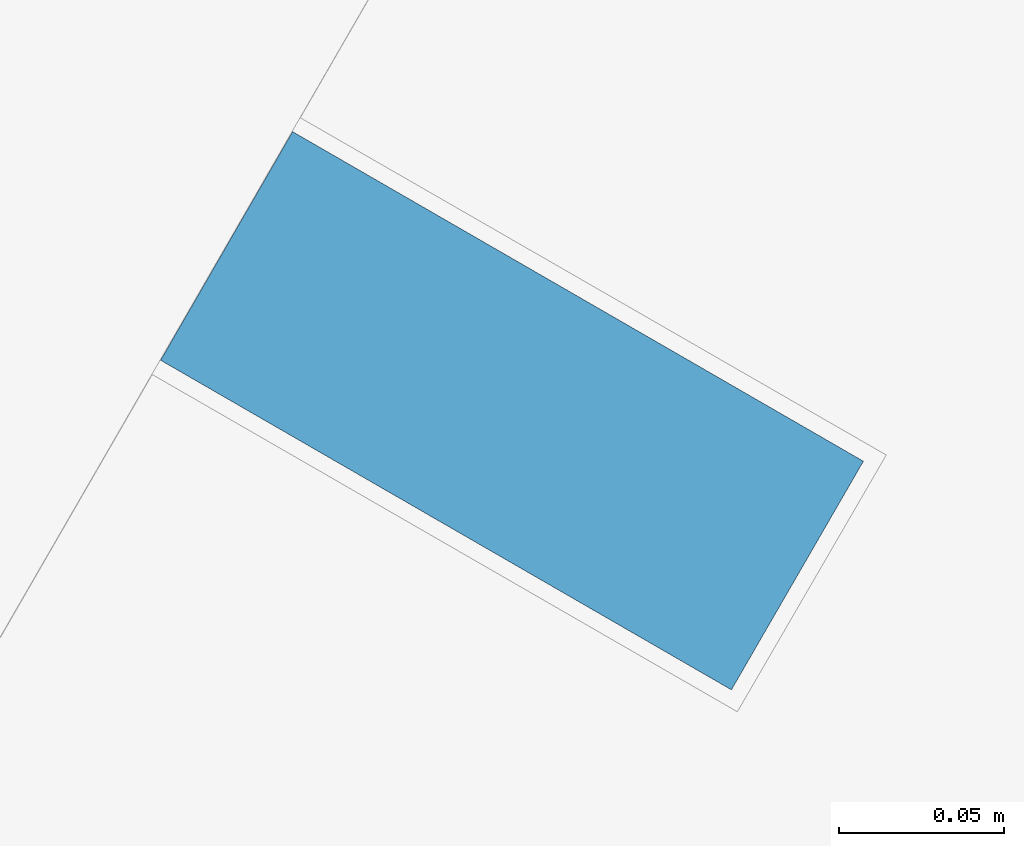
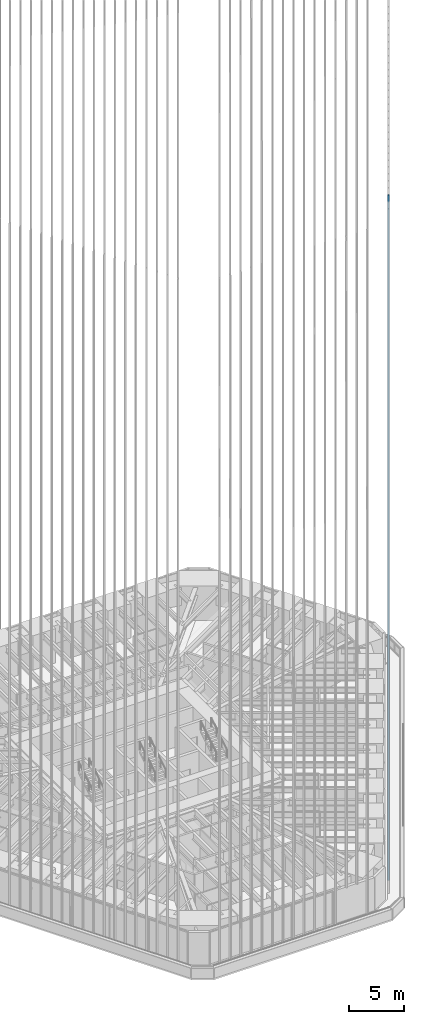
# One storey, part 71 of 238: 1 member, 1 element without a shape of its own.
"""IFC4 building model written with IfcOpenShell, lengths in metres."""

from ifc_helpers import new_model, si_unit, direction, frame, origin, origin_2d, place, context, subcontext, project, spatial, rectangle, extrude, material, material_profile, profile_set, type_object, element, aggregate, save


model = new_model("IFC4")

# Units and contexts
model_context = context("Model", 3, precision=1e-05, world=origin(), true_north=direction((0.0, 1.0)))
body_context = subcontext(model_context, "Body", "Model", "MODEL_VIEW")
ifc_project = project(units=[si_unit("LENGTHUNIT", "METRE"), si_unit("AREAUNIT", "SQUARE_METRE"), si_unit("VOLUMEUNIT", "CUBIC_METRE"), si_unit("PLANEANGLEUNIT", "RADIAN"), si_unit("MASSUNIT", "GRAM", prefix="KILO")], contexts=[model_context])

# Site, building, storey
site_placement = place(None, origin())
site = spatial("IfcSite", under=ifc_project, at=site_placement, CompositionType="ELEMENT")
building_placement = place(site_placement, origin())
building = spatial("IfcBuilding", under=site, at=building_placement, Name="Sandreach Pilgrim Tower", CompositionType="ELEMENT")
storey_placement = place(building_placement, frame((0.0, 0.0, 96.800048828125)))
storey = spatial("IfcBuildingStorey", under=building, at=storey_placement, Name="L23", CompositionType="ELEMENT", Elevation=96.800048828125)

# Curtain wall, member
ifc_material_1 = material(Name="Aluminium framed curtain wall", Category="aluminium")
curtain_wall_type = type_object("IfcCurtainWallType", Name="Hotel tower curtain wall", PredefinedType="NOTDEFINED", material=ifc_material_1)
curtain_wall_placement = place(storey_placement, origin())
curtain_wall = element("IfcCurtainWall", 1, at=curtain_wall_placement, inside=storey, type_object=curtain_wall_type, Name="CW-2 L23 SE", PredefinedType="NOTDEFINED")
ifc_material_2 = material(Name="Extruded terracotta on aluminium core", Category="masonry")
ifc_material_profile = material_profile(ifc_material_2, rectangle(XDim=0.080078125, YDim=0.199951171875, at=origin_2d()), Name="TBE 80X200")
ifc_profile_set = profile_set([ifc_material_profile], Name="Extruded terracotta on aluminium core")
member_type = type_object("IfcMemberType", Name="Terracotta baguette east", PredefinedType="USERDEFINED", material=ifc_profile_set)
member_placement = place(storey_placement, frame((12.12158203125, -24.79248046875, 0.0), z_axis=(0.0, 0.0, 1.0), x_axis=(-0.5, -0.866025403784, 0.0)))
member = element("IfcMember", 2, at=member_placement, type_object=member_type, Name="Baguette Z2 SE31", ObjectType="BAGUETTE", PredefinedType="USERDEFINED", context=body_context, shape_type="SweptSolid", body=[
    extrude(rectangle(XDim=0.080078125, YDim=0.199951171875, at=origin_2d()), origin(), (0.0, 0.0, 1.0), 75.83984375),
])
aggregate(curtain_wall, [member])

save(model, "model.ifc")
